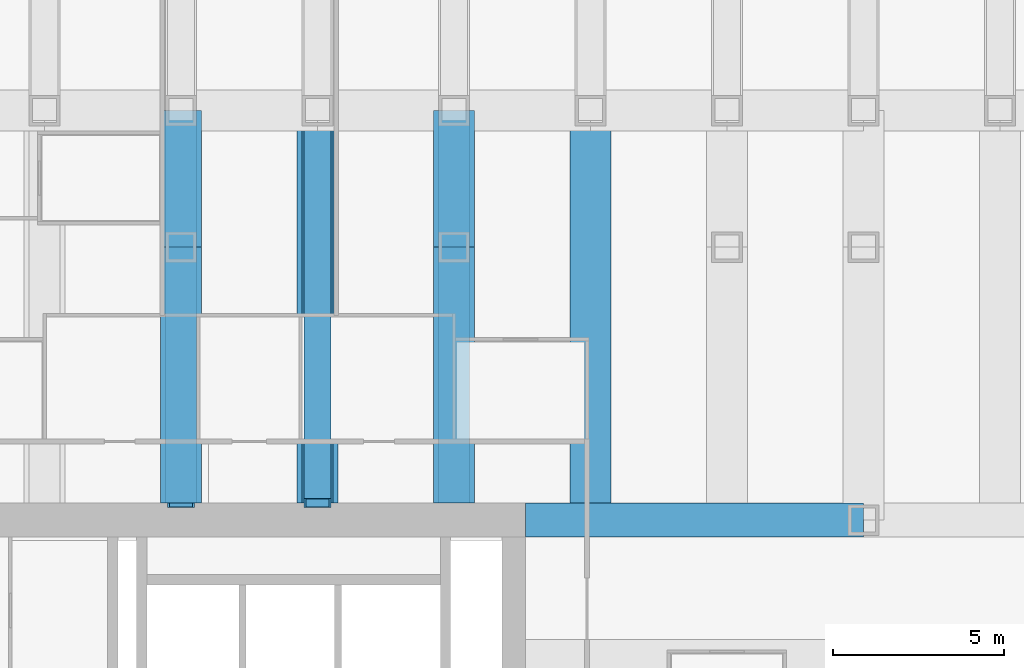
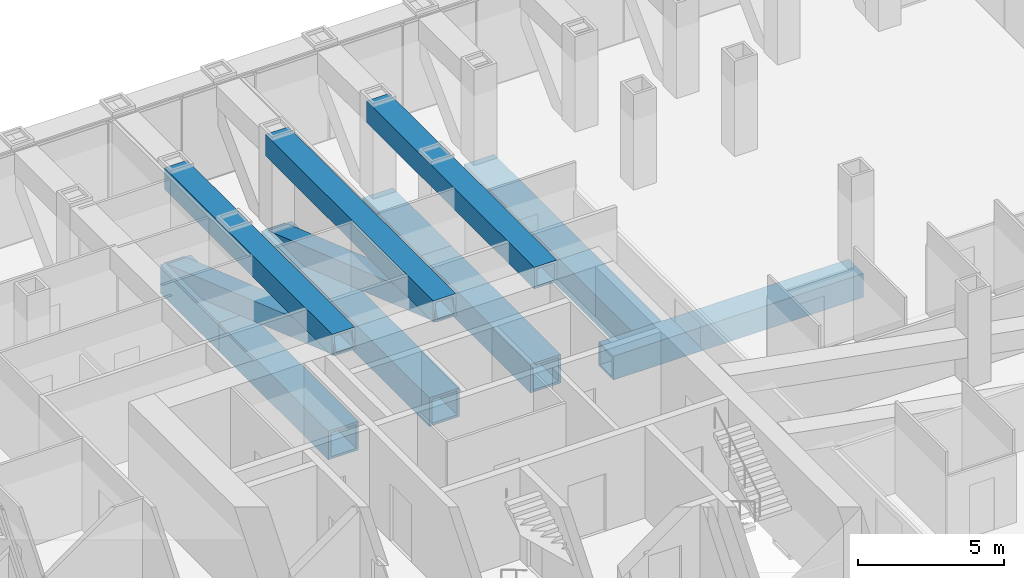
# One storey, part 8 of 18: 10 beams, 2 members.
"""IFC4 building model written with IfcOpenShell, lengths in metres."""

from ifc_helpers import new_model, si_unit, direction, frame, origin, origin_2d, place, context, subcontext, project, spatial, hollow_rectangle, extrude, material, material_profile, profile_set, type_object, element, save


model = new_model("IFC4")

# Units and contexts
model_context = context("Model", 3, precision=1e-05, world=origin(), true_north=direction((0.0, 1.0)))
body_context = subcontext(model_context, "Body", "Model", "MODEL_VIEW")
ifc_project = project(units=[si_unit("LENGTHUNIT", "METRE"), si_unit("AREAUNIT", "SQUARE_METRE"), si_unit("VOLUMEUNIT", "CUBIC_METRE"), si_unit("PLANEANGLEUNIT", "RADIAN"), si_unit("MASSUNIT", "GRAM", prefix="KILO")], contexts=[model_context])

# Site, building, storey
site_placement = place(None, origin())
site = spatial("IfcSite", under=ifc_project, at=site_placement, CompositionType="ELEMENT")
building_placement = place(site_placement, origin())
building = spatial("IfcBuilding", under=site, at=building_placement, Name="Rimbunsela Tower", CompositionType="ELEMENT")
storey_placement = place(building_placement, frame((0.0, 0.0, 105.39990234375)))
storey = spatial("IfcBuildingStorey", under=building, at=storey_placement, Name="L25", CompositionType="ELEMENT", Elevation=105.39990234375)

# Beams
ifc_material_1 = material(Name="Steel BJ 55 (fy 410 MPa)", Category="steel")
ifc_material_profile_1 = material_profile(ifc_material_1, hollow_rectangle(XDim=1.0, YDim=1.0, WallThickness=0.10009765625, at=origin_2d()), Name="BOX 1000x1000x100")
ifc_profile_set_1 = profile_set([ifc_material_profile_1], Name="Steel BJ 55 (fy 410 MPa)")
beam_type_1 = type_object("IfcBeamType", Name="Beam BOX 1000x1000x100", PredefinedType="BEAM", material=ifc_profile_set_1)
beam_1_placement = place(storey_placement, frame((36.10009765625, 36.0, -0.64990234375), z_axis=(1.0, 0.0, 0.0), x_axis=(0.0, 1.0, 0.0)))
element("IfcBeam", 1, at=beam_1_placement, inside=storey, type_object=beam_type_1, Name="Beam B3 L25", PredefinedType="BEAM", context=body_context, shape_type="SweptSolid", body=[
    extrude(hollow_rectangle(XDim=1.0, YDim=1.0, WallThickness=0.10009765625, at=origin_2d()), origin(), (0.0, 0.0, 1.0), 9.89990234375),
])
ifc_material_2 = material(Name="Steel BJ 55 (fy 410 MPa)", Category="steel")
ifc_material_profile_2 = material_profile(ifc_material_2, hollow_rectangle(XDim=1.199951171875, YDim=1.199951171875, WallThickness=0.10009765625, at=origin_2d()), Name="BOX 1200x1200x100")
ifc_profile_set_2 = profile_set([ifc_material_profile_2], Name="Steel BJ 55 (fy 410 MPa)")
beam_type_2 = type_object("IfcBeamType", Name="Beam BOX 1200x1200x100", PredefinedType="BEAM", material=ifc_profile_set_2)
beam_2_placement = place(storey_placement, frame((26.0, 36.5, -0.75), z_axis=(0.0, 1.0, 0.0), x_axis=(-1.0, 0.0, 0.0)))
element("IfcBeam", 2, at=beam_2_placement, inside=storey, type_object=beam_type_2, Name="Beam B5 L25", PredefinedType="BEAM", context=body_context, shape_type="SweptSolid", body=[
    extrude(hollow_rectangle(XDim=1.199951171875, YDim=1.199951171875, WallThickness=0.10009765625, at=origin_2d()), origin(), (0.0, 0.0, 1.0), 7.5),
])
beam_3_placement = place(storey_placement, frame((30.0, 36.5, -0.75), z_axis=(0.0, 1.0, 0.0), x_axis=(-1.0, 0.0, 0.0)))
element("IfcBeam", 3, at=beam_3_placement, inside=storey, type_object=beam_type_2, Name="Beam B5 L25", PredefinedType="BEAM", context=body_context, shape_type="SweptSolid", body=[
    extrude(hollow_rectangle(XDim=1.199951171875, YDim=1.199951171875, WallThickness=0.10009765625, at=origin_2d()), origin(), (0.0, 0.0, 1.0), 11.5),
])
beam_4_placement = place(storey_placement, frame((34.0, 36.5, -0.75), z_axis=(0.0, 1.0, 0.0), x_axis=(-1.0, 0.0, 0.0)))
element("IfcBeam", 4, at=beam_4_placement, inside=storey, type_object=beam_type_2, Name="Beam B5 L25", PredefinedType="BEAM", context=body_context, shape_type="SweptSolid", body=[
    extrude(hollow_rectangle(XDim=1.199951171875, YDim=1.199951171875, WallThickness=0.10009765625, at=origin_2d()), origin(), (0.0, 0.0, 1.0), 7.5),
])
beam_5_placement = place(storey_placement, frame((38.0, 36.5, -0.75), z_axis=(0.0, 1.0, 0.0), x_axis=(-1.0, 0.0, 0.0)))
element("IfcBeam", 5, at=beam_5_placement, inside=storey, type_object=beam_type_2, Name="Beam B5 L25", PredefinedType="BEAM", context=body_context, shape_type="SweptSolid", body=[
    extrude(hollow_rectangle(XDim=1.199951171875, YDim=1.199951171875, WallThickness=0.10009765625, at=origin_2d()), origin(), (0.0, 0.0, 1.0), 11.5),
])
ifc_material_3 = material(Name="Steel BJ 55 (fy 410 MPa)", Category="steel")
ifc_material_profile_3 = material_profile(ifc_material_3, hollow_rectangle(XDim=1.199951171875, YDim=1.199951171875, WallThickness=0.125, at=origin_2d()), Name="BOX 1200x1200x125")
ifc_profile_set_3 = profile_set([ifc_material_profile_3], Name="Steel BJ 55 (fy 410 MPa)")
beam_type_3 = type_object("IfcBeamType", Name="Beam BOX 1200x1200x125", PredefinedType="BEAM", material=ifc_profile_set_3)
for number, where, z_axis, x_axis, name in (
    (6, (26.0, 44.0, -0.75), (0.0, 1.0, 0.0), (-1.0, 0.0, 0.0), "Beam B4 L25"),
    (7, (34.0, 44.0, -0.75), (0.0, 1.0, 0.0), (-1.0, 0.0, 0.0), "Beam B4 L25"),
):
    element("IfcBeam", number, at=place(storey_placement, frame(where, z_axis=z_axis, x_axis=x_axis)), inside=storey, type_object=beam_type_3, Name=name, PredefinedType="BEAM", context=body_context, shape_type="SweptSolid", body=[
        extrude(hollow_rectangle(XDim=1.199951171875, YDim=1.199951171875, WallThickness=0.125, at=origin_2d()), origin(), (0.0, 0.0, 1.0), 4.0),
    ])

# Members
ifc_material_4 = material(Name="Steel BJ 55 (fy 410 MPa)", Category="steel")
ifc_material_profile_4 = material_profile(ifc_material_4, hollow_rectangle(XDim=0.800048828125, YDim=0.800048828125, WallThickness=0.06005859375, at=origin_2d()), Name="BOX 800x800x60")
ifc_profile_set_4 = profile_set([ifc_material_profile_4], Name="Steel BJ 55 (fy 410 MPa)")
member_type = type_object("IfcMemberType", Name="Outrigger brace BOX 800x800x60", PredefinedType="BRACE", material=ifc_profile_set_4)
for number, where, z_axis, x_axis, name in (
    (8, (26.0, 48.0, -0.599853515625), (0.0, -0.944496796706, 0.328520624941), (1.0, 0.0, 0.0), "Outrigger brace OB1 N L25"),
    (9, (30.0, 48.0, -0.599853515625), (0.0, -0.944496796706, 0.328520624941), (1.0, 0.0, 0.0), "Outrigger brace OB1 N L25"),
):
    element("IfcMember", number, at=place(storey_placement, frame(where, z_axis=z_axis, x_axis=x_axis)), inside=storey, type_object=member_type, Name=name, PredefinedType="BRACE", context=body_context, shape_type="SweptSolid", body=[
        extrude(hollow_rectangle(XDim=0.800048828125, YDim=0.800048828125, WallThickness=0.06005859375, at=origin_2d()), origin(), (0.0, 0.0, 1.0), 12.17578125),
    ])

# Beams
ifc_material_5 = material(Name="Steel BJ 55 (fy 410 MPa)", Category="steel")
ifc_material_profile_5 = material_profile(ifc_material_5, hollow_rectangle(XDim=0.89990234375, YDim=0.89990234375, WallThickness=0.10009765625, at=origin_2d()), Name="BOX 900x900x100")
ifc_profile_set_5 = profile_set([ifc_material_profile_5], Name="Steel BJ 55 (fy 410 MPa)")
beam_type_4 = type_object("IfcBeamType", Name="Truss chord BOX 900x900x100", PredefinedType="USERDEFINED", material=ifc_profile_set_5)
for number, where, z_axis, x_axis, name in (
    (10, (26.0, 36.5, 3.400146484375), (0.0, 1.0, 0.0), (-1.0, 0.0, 0.0), "Cantilever truss top chord TC2 9/Q L25"),
    (11, (30.0, 36.5, 3.400146484375), (0.0, 1.0, 0.0), (-1.0, 0.0, 0.0), "Cantilever truss top chord TC2 10/Q L25"),
    (12, (34.0, 36.5, 3.400146484375), (0.0, 1.0, 0.0), (-1.0, 0.0, 0.0), "Cantilever truss top chord TC2 11/Q L25"),
):
    element("IfcBeam", number, at=place(storey_placement, frame(where, z_axis=z_axis, x_axis=x_axis)), inside=storey, type_object=beam_type_4, Name=name, ObjectType="TRUSS CHORD", PredefinedType="USERDEFINED", context=body_context, shape_type="SweptSolid", body=[
        extrude(hollow_rectangle(XDim=0.89990234375, YDim=0.89990234375, WallThickness=0.10009765625, at=origin_2d()), origin(), (0.0, 0.0, 1.0), 11.5),
    ])

save(model, "model.ifc")
